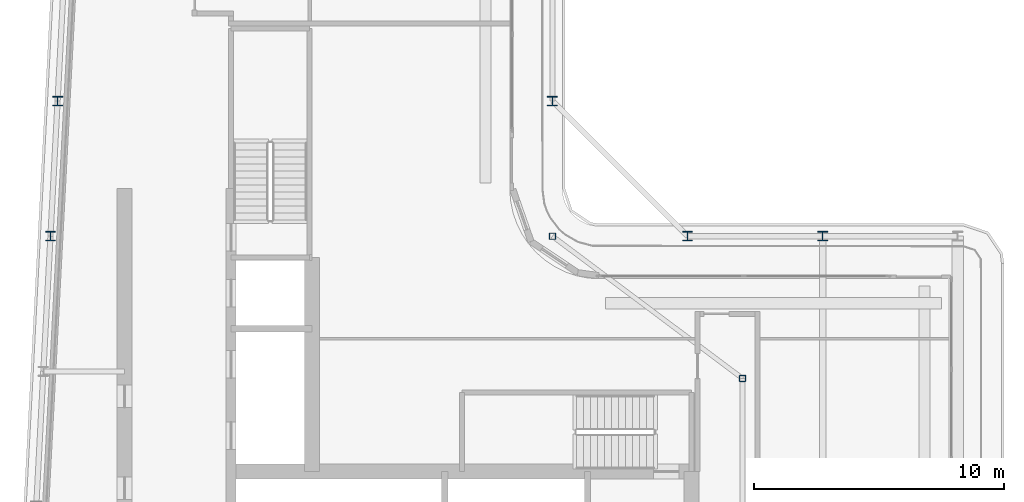
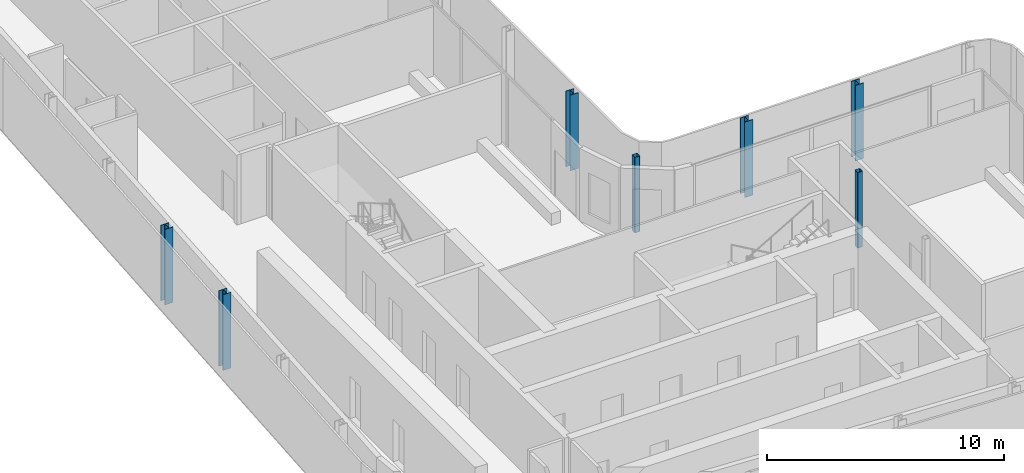
# One storey, part 2 of 21: 7 columns.
"""IFC4 building model written with IfcOpenShell, lengths in metres."""

from ifc_helpers import new_model, si_unit, direction, frame, origin, origin_2d, place, context, subcontext, project, spatial, hollow_rectangle, i_section, extrude, material, material_profile, profile_set, type_object, element, save


model = new_model("IFC4")

# Units and contexts
model_context = context("Model", 3, precision=1e-05, world=origin(), true_north=direction((0.0, 1.0)))
body_context = subcontext(model_context, "Body", "Model", "MODEL_VIEW")
ifc_project = project(units=[si_unit("LENGTHUNIT", "METRE"), si_unit("AREAUNIT", "SQUARE_METRE"), si_unit("VOLUMEUNIT", "CUBIC_METRE"), si_unit("PLANEANGLEUNIT", "RADIAN"), si_unit("MASSUNIT", "GRAM", prefix="KILO")], contexts=[model_context])

# Site, building, storey
site_placement = place(None, origin())
site = spatial("IfcSite", under=ifc_project, at=site_placement, CompositionType="ELEMENT")
building_placement = place(site_placement, origin())
building = spatial("IfcBuilding", under=site, at=building_placement, Name="Kheshtan School and Residences Tower", CompositionType="ELEMENT")
storey_placement = place(building_placement, frame((0.0, 0.0, 278.60009765625)))
storey = spatial("IfcBuildingStorey", under=building, at=storey_placement, Name="L65", CompositionType="ELEMENT", Elevation=278.60009765625)

# Columns
ifc_material_1 = material(Name="Steel ASTM A992 Grade 50", Category="steel")
ifc_material_profile_1 = material_profile(ifc_material_1, i_section(OverallWidth=0.39501953125, OverallDepth=0.3798828125, WebThickness=0.018798828125, FlangeThickness=0.0302734375, FilletRadius=0.011474609375, at=origin_2d()), Name="W360x237")
ifc_profile_set_1 = profile_set([ifc_material_profile_1], Name="Steel ASTM A992 Grade 50")
column_type_1 = type_object("IfcColumnType", Name="Column C5 W360x237 ASTM A992 Grade 50", PredefinedType="COLUMN", material=ifc_profile_set_1)
for number, where, z_axis, x_axis, name in (
    (1, (27.537109375, 45.60009765625, 0.0), (0.0, 0.0, 1.0), (1.0, 0.0, 0.0), "Column C059"),
    (2, (53.0, 45.60009765625, 0.0), (0.0, 0.0, 1.0), (1.0, 0.0, 0.0), "Column C061"),
    (3, (58.39990234375, 45.60009765625, 0.0), (0.0, 0.0, 1.0), (1.0, 0.0, 0.0), "Column C062"),
    (4, (27.822021484375, 51.0, 0.0), (0.0, 0.0, 1.0), (1.0, 0.0, 0.0), "Column C078"),
    (5, (47.60009765625, 51.0, 0.0), (0.0, 0.0, 1.0), (1.0, 0.0, 0.0), "Column C079"),
):
    element("IfcColumn", number, at=place(storey_placement, frame(where, z_axis=z_axis, x_axis=x_axis)), inside=storey, type_object=column_type_1, Name=name, PredefinedType="COLUMN", context=body_context, shape_type="SweptSolid", body=[
        extrude(i_section(OverallWidth=0.39501953125, OverallDepth=0.3798828125, WebThickness=0.018798828125, FlangeThickness=0.0302734375, FilletRadius=0.011474609375, at=origin_2d()), origin(), (0.0, 0.0, 1.0), 3.89990234375),
    ])
ifc_material_2 = material(Name="Steel ASTM A500 Grade C", Category="steel")
ifc_material_profile_2 = material_profile(ifc_material_2, hollow_rectangle(XDim=0.25390625, YDim=0.25390625, WallThickness=0.0126953125, InnerFilletRadius=0.0126953125, OuterFilletRadius=0.025390625, at=origin_2d()), Name="HSS 254x254x12.7")
ifc_profile_set_2 = profile_set([ifc_material_profile_2], Name="Steel ASTM A500 Grade C")
column_type_2 = type_object("IfcColumnType", Name="Column IC3 HSS 254x254x12.7 ASTM A500 Grade C", PredefinedType="COLUMN", material=ifc_profile_set_2)
for number, where, z_axis, x_axis, name in (
    (6, (55.199951171875, 39.916015625, 0.0), (0.0, 0.0, 1.0), (1.0, 0.0, 0.0), "Column C055"),
    (7, (47.60009765625, 45.60009765625, 0.0), (0.0, 0.0, 1.0), (1.0, 0.0, 0.0), "Column C060"),
):
    element("IfcColumn", number, at=place(storey_placement, frame(where, z_axis=z_axis, x_axis=x_axis)), inside=storey, type_object=column_type_2, Name=name, PredefinedType="COLUMN", context=body_context, shape_type="SweptSolid", body=[
        extrude(hollow_rectangle(XDim=0.25390625, YDim=0.25390625, WallThickness=0.0126953125, InnerFilletRadius=0.0126953125, OuterFilletRadius=0.025390625, at=origin_2d()), origin(), (0.0, 0.0, 1.0), 3.89990234375),
    ])

save(model, "model.ifc")
